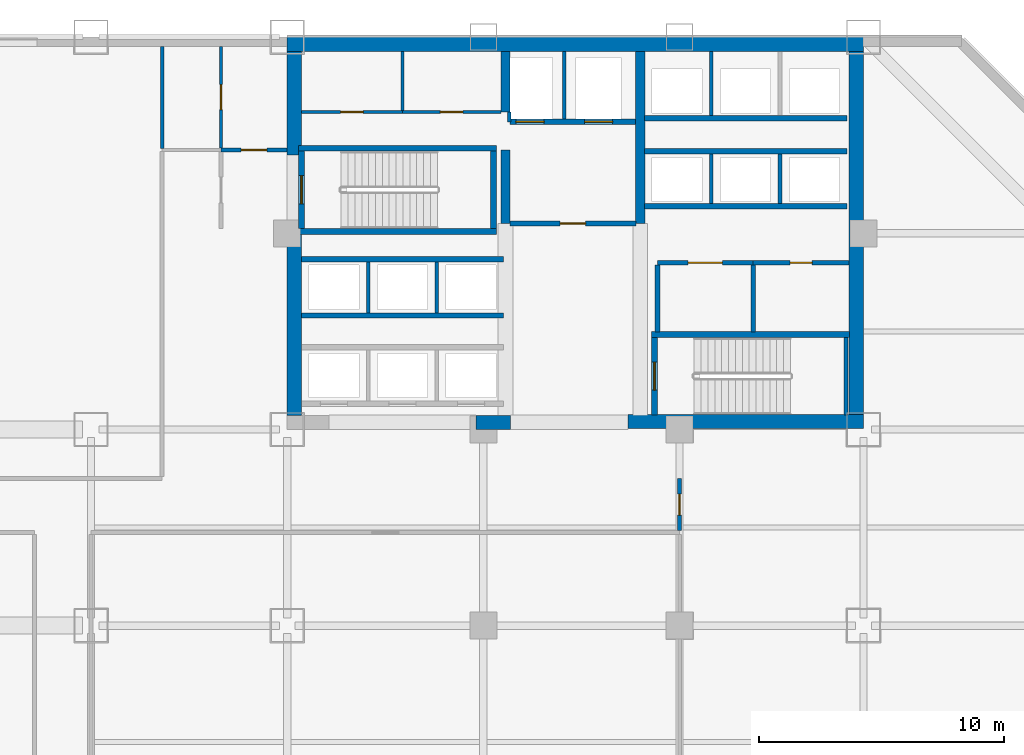
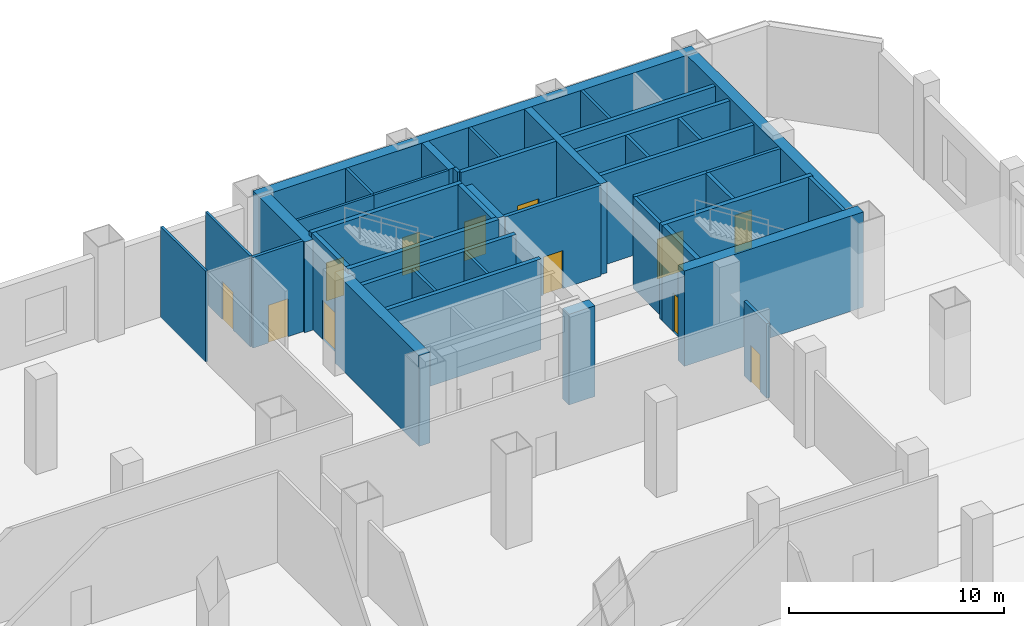
# One storey, part 5 of 10: 41 walls, 12 doors, 12 openings.
"""IFC4 building model written with IfcOpenShell, lengths in metres."""

from ifc_helpers import new_model, si_unit, direction, frame, frame_2d, origin, place, context, subcontext, project, spatial, rectangle, extrude, material, layer, layer_set, type_object, element, fill, save


model = new_model("IFC4")

# Units and contexts
model_context = context("Model", 3, precision=1e-05, world=origin(), true_north=direction((0.0, 1.0)))
body_context = subcontext(model_context, "Body", "Model", "MODEL_VIEW")
ifc_project = project(units=[si_unit("LENGTHUNIT", "METRE"), si_unit("AREAUNIT", "SQUARE_METRE"), si_unit("VOLUMEUNIT", "CUBIC_METRE"), si_unit("PLANEANGLEUNIT", "RADIAN"), si_unit("MASSUNIT", "GRAM", prefix="KILO")], contexts=[model_context])

# Site, building, storey
site_placement = place(None, origin())
site = spatial("IfcSite", under=ifc_project, at=site_placement, CompositionType="ELEMENT")
building_placement = place(site_placement, origin())
building = spatial("IfcBuilding", under=site, at=building_placement, Name="Qianrong Seaharbour Tower", CompositionType="ELEMENT")
storey_placement = place(building_placement, frame((0.0, 0.0, 17.39990234375)))
storey = spatial("IfcBuildingStorey", under=building, at=storey_placement, Name="L04", CompositionType="ELEMENT", Elevation=17.39990234375)

# Walls
ifc_material_1 = material(Name="Concrete C70/85", Category="concrete")
ifc_layer_1 = layer(ifc_material_1, 0.580078125)
ifc_layer_set_1 = layer_set([ifc_layer_1], Name="Concrete C70/85")
wall_type_1 = type_object("IfcWallType", Name="WALL-CORE-580", PredefinedType="SHEAR", material=ifc_layer_set_1)
wall_1_placement = place(storey_placement, frame((40.5, 51.7099609375, 0.0), z_axis=(0.0, 0.0, 1.0), x_axis=(1.0, 0.0, 0.0)))
element("IfcWall", 1, at=wall_1_placement, inside=storey, type_object=wall_type_1, Name="L04 North Core Shear Wall", PredefinedType="SHEAR", context=body_context, shape_type="SweptSolid", body=[
    extrude(rectangle(XDim=23.5, YDim=0.580078125, at=frame_2d((11.75, 0.0))), origin(), (0.0, 0.0, 1.0), 5.14013671875),
])
wall_2_placement = place(storey_placement, frame((63.7099609375, 36.320068359375, 0.0), z_axis=(0.0, 0.0, 1.0), x_axis=(0.0, 1.0, 0.0)))
element("IfcWall", 2, at=wall_2_placement, inside=storey, type_object=wall_type_1, Name="L04 East Core Shear Wall", PredefinedType="SHEAR", context=body_context, shape_type="SweptSolid", body=[
    extrude(rectangle(XDim=15.099853515625, YDim=0.580078125, at=frame_2d((7.5498046875, 0.0))), origin(), (0.0, 0.0, 1.0), 5.14013671875),
])
wall_3_placement = place(storey_placement, frame((40.7900390625, 36.580078125, 0.0), z_axis=(0.0, 0.0, 1.0), x_axis=(0.0, 1.0, 0.0)))
element("IfcWall", 3, at=wall_3_placement, inside=storey, type_object=wall_type_1, Name="L04 West Core Shear Wall South", PredefinedType="SHEAR", context=body_context, shape_type="SweptSolid", body=[
    extrude(rectangle(XDim=7.81982421875, YDim=0.580078125, at=frame_2d((3.909912109375, 0.0))), origin(), (0.0, 0.0, 1.0), 5.14013671875),
])
wall_4_placement = place(storey_placement, frame((40.7900390625, 47.199951171875, 0.0), z_axis=(0.0, 0.0, 1.0), x_axis=(0.0, 1.0, 0.0)))
element("IfcWall", 4, at=wall_4_placement, inside=storey, type_object=wall_type_1, Name="L04 West Core Shear Wall North", PredefinedType="SHEAR", context=body_context, shape_type="SweptSolid", body=[
    extrude(rectangle(XDim=4.219970703125, YDim=0.580078125, at=frame_2d((2.10986328125, 0.0))), origin(), (0.0, 0.0, 1.0), 5.14013671875),
])
wall_5_placement = place(storey_placement, frame((48.199951171875, 36.2900390625, 0.0), z_axis=(0.0, 0.0, 1.0), x_axis=(1.0, 0.0, 0.0)))
element("IfcWall", 5, at=wall_5_placement, inside=storey, type_object=wall_type_1, Name="L04 South Core Shear Wall S2", PredefinedType="SHEAR", context=body_context, shape_type="SweptSolid", body=[
    extrude(rectangle(XDim=1.400146484375, YDim=0.580078125, at=frame_2d((0.7001953125, 0.0))), origin(), (0.0, 0.0, 1.0), 5.14013671875),
])
wall_6_placement = place(storey_placement, frame((54.39990234375, 36.320068359375, 0.0), z_axis=(0.0, 0.0, 1.0), x_axis=(1.0, 0.0, 0.0)))
element("IfcWall", 6, at=wall_6_placement, inside=storey, type_object=wall_type_1, Name="L04 South Core Shear Wall S3", PredefinedType="SHEAR", context=body_context, shape_type="SweptSolid", body=[
    extrude(rectangle(XDim=9.60009765625, YDim=0.580078125, at=frame_2d((4.800048828125, 0.0))), origin(), (0.0, 0.0, 1.0), 5.400146484375),
])
ifc_material_2 = material(Name="Concrete C60/75", Category="concrete")
ifc_layer_2 = layer(ifc_material_2, 0.3798828125)
ifc_layer_set_2 = layer_set([ifc_layer_2], Name="Concrete C60/75")
wall_type_2 = type_object("IfcWallType", Name="WALL-CORE-INT-380", PredefinedType="SHEAR", material=ifc_layer_set_2)
wall_7_placement = place(storey_placement, frame((49.39990234375, 44.39990234375, 0.0), z_axis=(0.0, 0.0, 1.0), x_axis=(0.0, 1.0, 0.0)))
element("IfcWall", 7, at=wall_7_placement, inside=storey, type_object=wall_type_2, Name="L04 Internal Core Shear Wall IW1N1", PredefinedType="SHEAR", context=body_context, shape_type="SweptSolid", body=[
    extrude(rectangle(XDim=3.0, YDim=0.3798828125, at=frame_2d((1.5, 0.0))), origin(), (0.0, 0.0, 1.0), 5.14013671875),
])
wall_8_placement = place(storey_placement, frame((49.39990234375, 48.949951171875, 0.0), z_axis=(0.0, 0.0, 1.0), x_axis=(0.0, 1.0, 0.0)))
element("IfcWall", 8, at=wall_8_placement, inside=storey, type_object=wall_type_2, Name="L04 Internal Core Shear Wall IW1N2", PredefinedType="SHEAR", context=body_context, shape_type="SweptSolid", body=[
    extrude(rectangle(XDim=2.469970703125, YDim=0.3798828125, at=frame_2d((1.23486328125, 0.0))), origin(), (0.0, 0.0, 1.0), 5.14013671875),
])
wall_9_placement = place(storey_placement, frame((54.89990234375, 44.39990234375, 0.0), z_axis=(0.0, 0.0, 1.0), x_axis=(0.0, 1.0, 0.0)))
element("IfcWall", 9, at=wall_9_placement, inside=storey, type_object=wall_type_2, Name="L04 Internal Core Shear Wall IW2N", PredefinedType="SHEAR", context=body_context, shape_type="SweptSolid", body=[
    extrude(rectangle(XDim=7.02001953125, YDim=0.3798828125, at=frame_2d((3.510009765625, 0.0))), origin(), (0.0, 0.0, 1.0), 5.14013671875),
])

# Wall, opening, door
ifc_material_3 = material(Name="Fire-rated acoustic gypsum board partition")
ifc_layer_3 = layer(ifc_material_3, 0.1650390625)
ifc_layer_set_3 = layer_set([ifc_layer_3], Name="Fire-rated acoustic gypsum board partition")
wall_type_3 = type_object("IfcWallType", Name="WALL-CORR-PART-165", PredefinedType="PARTITIONING", material=ifc_layer_set_3)
wall_10_placement = place(storey_placement, frame((37.800048828125, 47.39990234375, 0.0), z_axis=(0.0, 0.0, 1.0), x_axis=(1.0, 0.0, 0.0)))
wall_10 = element("IfcWall", 10, at=wall_10_placement, inside=storey, type_object=wall_type_3, Name="L04 Interior Partition Wall 001", PredefinedType="PARTITIONING", context=body_context, shape_type="SweptSolid", body=[
    extrude(rectangle(XDim=2.699951171875, YDim=0.1650390625, at=frame_2d((1.35009765625, 0.0))), origin(), (0.0, 0.0, 1.0), 5.14013671875),
])
opening_1_placement = place(wall_10_placement, frame((0.824951171875, 0.0, 0.0)))
opening_1 = element("IfcOpeningElement", 11, at=opening_1_placement, cuts=wall_10, Name="Opening DC-01", PredefinedType="OPENING", context=body_context, shape_type="SweptSolid", body=[
    extrude(rectangle(XDim=1.050048828125, YDim=2.14990234375, at=frame_2d((0.52490234375, 1.074951171875))), frame((0.0, 0.092529296875, 0.0), z_axis=(0.0, -1.0, 0.0), x_axis=(1.0, 0.0, 0.0)), (0.0, 0.0, 1.0), 0.18505859375),
])
ifc_material_4 = material(Name="Acoustic timber and galvanized steel fire door assembly", Category="steel")
door_type_1 = type_object("IfcDoorType", Name="DOOR-CORR-FD60-1050x2150", OperationType="NOTDEFINED", PredefinedType="DOOR", material=ifc_material_4)
door_1_placement = place(opening_1_placement, origin())
door_1 = element("IfcDoor", 12, at=door_1_placement, inside=storey, type_object=door_type_1, Name="L04 Smokeproof Stair Vestibule ST-1 Door", OperationType="SINGLE_SWING_LEFT", OverallHeight=2.14990234375, OverallWidth=1.050048828125, PredefinedType="DOOR", context=body_context, shape_type="SweptSolid", body=[
    extrude(rectangle(XDim=1.050048828125, YDim=2.14990234375, at=frame_2d((0.52490234375, 1.074951171875))), frame((0.0, 0.02490234375, 0.0), z_axis=(0.0, -1.0, 0.0), x_axis=(1.0, 0.0, 0.0)), (0.0, 0.0, 1.0), 0.050048828125),
])
fill(opening_1, door_1)

wall_11_placement = place(storey_placement, frame((63.419921875, 42.800048828125, 0.0), z_axis=(0.0, 0.0, 1.0), x_axis=(-1.0, 0.0, 0.0)))
wall_11 = element("IfcWall", 13, at=wall_11_placement, inside=storey, type_object=wall_type_3, Name="L04 Interior Partition Wall 011", PredefinedType="PARTITIONING", context=body_context, shape_type="SweptSolid", body=[
    extrude(rectangle(XDim=3.919921875, YDim=0.1650390625, at=frame_2d((1.9599609375, 0.0))), origin(), (0.0, 0.0, 1.0), 5.14013671875),
])
opening_2_placement = place(wall_11_placement, frame((1.510009765625, 0.0, 0.0)))
opening_2 = element("IfcOpeningElement", 14, at=opening_2_placement, cuts=wall_11, Name="Opening DS-01", PredefinedType="OPENING", context=body_context, shape_type="SweptSolid", body=[
    extrude(rectangle(XDim=0.89990234375, YDim=2.14990234375, at=frame_2d((0.449951171875, 1.074951171875))), frame((0.0, 0.092529296875, 0.0), z_axis=(0.0, -1.0, 0.0), x_axis=(1.0, 0.0, 0.0)), (0.0, 0.0, 1.0), 0.18505859375),
])
door_type_2 = type_object("IfcDoorType", Name="DOOR-STORE-900x2150", OperationType="NOTDEFINED", PredefinedType="DOOR", material=ifc_material_4)
door_2_placement = place(opening_2_placement, origin())
door_2 = element("IfcDoor", 15, at=door_2_placement, inside=storey, type_object=door_type_2, Name="L04 Cleaner Store Room Door", OperationType="SINGLE_SWING_RIGHT", OverallHeight=2.14990234375, OverallWidth=0.89990234375, PredefinedType="DOOR", context=body_context, shape_type="SweptSolid", body=[
    extrude(rectangle(XDim=0.89990234375, YDim=2.14990234375, at=frame_2d((0.449951171875, 1.074951171875))), frame((0.0, 0.02490234375, 0.0), z_axis=(0.0, -1.0, 0.0), x_axis=(1.0, 0.0, 0.0)), (0.0, 0.0, 1.0), 0.050048828125),
])
fill(opening_2, door_2)

wall_12_placement = place(storey_placement, frame((56.5, 34.0, 0.0), z_axis=(0.0, 0.0, 1.0), x_axis=(0.0, -1.0, 0.0)))
wall_12 = element("IfcWall", 16, at=wall_12_placement, inside=storey, type_object=wall_type_3, Name="L04 Interior Partition Wall 019", PredefinedType="PARTITIONING", context=body_context, shape_type="SweptSolid", body=[
    extrude(rectangle(XDim=2.12548828125, YDim=0.1650390625, at=frame_2d((1.062744140625, 0.0))), origin(), (0.0, 0.0, 1.0), 4.232177734375),
])
opening_3_placement = place(wall_12_placement, frame((0.6328125, 0.0, 0.0)))
opening_3 = element("IfcOpeningElement", 17, at=opening_3_placement, cuts=wall_12, Name="Opening DU-01", PredefinedType="OPENING", context=body_context, shape_type="SweptSolid", body=[
    extrude(rectangle(XDim=0.860107421875, YDim=2.10009765625, at=frame_2d((0.43017578125, 1.050048828125))), frame((0.0, 0.092529296875, 0.0), z_axis=(0.0, -1.0, 0.0), x_axis=(1.0, 0.0, 0.0)), (0.0, 0.0, 1.0), 0.18505859375),
])
door_type_3 = type_object("IfcDoorType", Name="DOOR-UTIL-860x2100", OperationType="NOTDEFINED", PredefinedType="DOOR", material=ifc_material_4)
door_3_placement = place(opening_3_placement, origin())
door_3 = element("IfcDoor", 18, at=door_3_placement, inside=storey, type_object=door_type_3, Name="L04 Project Library Door", OperationType="SINGLE_SWING_RIGHT", OverallHeight=2.10009765625, OverallWidth=0.860107421875, PredefinedType="DOOR", context=body_context, shape_type="SweptSolid", body=[
    extrude(rectangle(XDim=0.860107421875, YDim=2.10009765625, at=frame_2d((0.43017578125, 1.050048828125))), frame((0.0, 0.02490234375, 0.0), z_axis=(0.0, -1.0, 0.0), x_axis=(1.0, 0.0, 0.0)), (0.0, 0.0, 1.0), 0.050048828125),
])
fill(opening_3, door_3)

ifc_material_5 = material(Name="Double fire-rated gypsum board acoustic partition")
ifc_layer_4 = layer(ifc_material_5, 0.18994140625)
ifc_layer_set_4 = layer_set([ifc_layer_4], Name="Double fire-rated gypsum board acoustic partition")
wall_type_4 = type_object("IfcWallType", Name="WALL-FIRE-PART-190", PredefinedType="PARTITIONING", material=ifc_layer_set_4)
wall_13_placement = place(storey_placement, frame((54.718017578125, 44.39990234375, 0.0), z_axis=(0.0, 0.0, 1.0), x_axis=(-1.0, 0.0, 0.0)))
wall_13 = element("IfcWall", 19, at=wall_13_placement, inside=storey, type_object=wall_type_4, Name="L04 Interior Partition Wall 008", PredefinedType="PARTITIONING", context=body_context, shape_type="SweptSolid", body=[
    extrude(rectangle(XDim=5.135986328125, YDim=0.18994140625, at=frame_2d((2.56787109375, 0.0))), origin(), (0.0, 0.0, 1.0), 5.14013671875),
])
opening_4_placement = place(wall_13_placement, frame((2.04296875, 0.0, 0.0)))
opening_4 = element("IfcOpeningElement", 20, at=opening_4_placement, cuts=wall_13, Name="Opening DC-01", PredefinedType="OPENING", context=body_context, shape_type="SweptSolid", body=[
    extrude(rectangle(XDim=1.050048828125, YDim=2.14990234375, at=frame_2d((0.52490234375, 1.074951171875))), frame((0.0, 0.10498046875, 0.0), z_axis=(0.0, -1.0, 0.0), x_axis=(1.0, 0.0, 0.0)), (0.0, 0.0, 1.0), 0.2099609375),
])
door_4_placement = place(opening_4_placement, origin())
door_4 = element("IfcDoor", 21, at=door_4_placement, inside=storey, type_object=door_type_1, Name="L04 Firefighting Lift Lobby Door", OperationType="SINGLE_SWING_LEFT", OverallHeight=2.14990234375, OverallWidth=1.050048828125, PredefinedType="DOOR", context=body_context, shape_type="SweptSolid", body=[
    extrude(rectangle(XDim=1.050048828125, YDim=2.14990234375, at=frame_2d((0.52490234375, 1.074951171875))), frame((0.0, 0.02490234375, 0.0), z_axis=(0.0, -1.0, 0.0), x_axis=(1.0, 0.0, 0.0)), (0.0, 0.0, 1.0), 0.050048828125),
])
fill(opening_4, door_4)

# Wall
wall_14_placement = place(storey_placement, frame((55.60009765625, 42.712890625, 0.0), z_axis=(0.0, 0.0, 1.0), x_axis=(0.0, -1.0, 0.0)))
element("IfcWall", 22, at=wall_14_placement, inside=storey, type_object=wall_type_4, Name="L04 Interior Partition Wall 009", PredefinedType="PARTITIONING", context=body_context, shape_type="SweptSolid", body=[
    extrude(rectangle(XDim=2.73095703125, YDim=0.18994140625, at=frame_2d((1.365478515625, 0.0))), origin(), (0.0, 0.0, 1.0), 5.14013671875),
])

# Wall, opening, door
wall_15_placement = place(storey_placement, frame((59.5, 42.800048828125, 0.0), z_axis=(0.0, 0.0, 1.0), x_axis=(-1.0, 0.0, 0.0)))
wall_15 = element("IfcWall", 23, at=wall_15_placement, inside=storey, type_object=wall_type_4, Name="L04 Interior Partition Wall 010", PredefinedType="PARTITIONING", context=body_context, shape_type="SweptSolid", body=[
    extrude(rectangle(XDim=3.89990234375, YDim=0.18994140625, at=frame_2d((1.949951171875, 0.0))), origin(), (0.0, 0.0, 1.0), 5.14013671875),
])
opening_5_placement = place(wall_15_placement, frame((1.25, 0.0, 0.0)))
opening_5 = element("IfcOpeningElement", 24, at=opening_5_placement, cuts=wall_15, Name="Opening DP-01", PredefinedType="OPENING", context=body_context, shape_type="SweptSolid", body=[
    extrude(rectangle(XDim=1.39990234375, YDim=2.25, at=frame_2d((0.699951171875, 1.125))), frame((0.0, 0.10498046875, 0.0), z_axis=(0.0, -1.0, 0.0), x_axis=(1.0, 0.0, 0.0)), (0.0, 0.0, 1.0), 0.2099609375),
])
door_type_4 = type_object("IfcDoorType", Name="DOOR-PLANT-PAIR-1400x2250", OperationType="DOUBLE_DOOR_SINGLE_SWING", PredefinedType="DOOR", material=ifc_material_4)
door_5_placement = place(opening_5_placement, origin())
door_5 = element("IfcDoor", 25, at=door_5_placement, inside=storey, type_object=door_type_4, Name="L04 Electrical Substation Door", OperationType="DOUBLE_DOOR_SINGLE_SWING", OverallHeight=2.25, OverallWidth=1.39990234375, PredefinedType="DOOR", context=body_context, shape_type="SweptSolid", body=[
    extrude(rectangle(XDim=1.39990234375, YDim=2.25, at=frame_2d((0.699951171875, 1.125))), frame((0.0, 0.02490234375, 0.0), z_axis=(0.0, -1.0, 0.0), x_axis=(1.0, 0.0, 0.0)), (0.0, 0.0, 1.0), 0.050048828125),
])
fill(opening_5, door_5)

# Walls
wall_16_placement = place(storey_placement, frame((59.5, 42.712890625, 0.0), z_axis=(0.0, 0.0, 1.0), x_axis=(0.0, -1.0, 0.0)))
element("IfcWall", 26, at=wall_16_placement, inside=storey, type_object=wall_type_4, Name="L04 Interior Partition Wall 013", PredefinedType="PARTITIONING", context=body_context, shape_type="SweptSolid", body=[
    extrude(rectangle(XDim=2.73095703125, YDim=0.18994140625, at=frame_2d((1.365478515625, 0.0))), origin(), (0.0, 0.0, 1.0), 5.14013671875),
])
ifc_material_6 = material(Name="Fire-rated gypsum board on steel studs", Category="steel")
ifc_layer_5 = layer(ifc_material_6, 0.14990234375)
ifc_layer_set_5 = layer_set([ifc_layer_5], Name="Fire-rated gypsum board on steel studs")
wall_type_5 = type_object("IfcWallType", Name="WALL-SHAFT-DIV-150", PredefinedType="PARTITIONING", material=ifc_layer_set_5)
wall_17_placement = place(storey_placement, frame((51.800048828125, 48.669921875, 0.0), z_axis=(0.0, 0.0, 1.0), x_axis=(0.0, 1.0, 0.0)))
element("IfcWall", 27, at=wall_17_placement, inside=storey, type_object=wall_type_5, Name="L04 Firefighting Lift Shaft Divider Wall", PredefinedType="PARTITIONING", context=body_context, shape_type="SweptSolid", body=[
    extrude(rectangle(XDim=2.75, YDim=0.14990234375, at=frame_2d((1.375, 0.0))), origin(), (0.0, 0.0, 1.0), 5.14013671875),
])
wall_18_placement = place(storey_placement, frame((49.550048828125, 48.550048828125, 0.0), z_axis=(0.0, 0.0, 1.0), x_axis=(0.0, 1.0, 0.0)))
element("IfcWall", 28, at=wall_18_placement, inside=storey, type_object=wall_type_5, Name="L04 Firefighting Lift Shaft West Return Wall", PredefinedType="PARTITIONING", context=body_context, shape_type="SweptSolid", body=[
    extrude(rectangle(XDim=0.39990234375, YDim=0.14990234375, at=frame_2d((0.199951171875, 0.0))), origin(), (0.0, 0.0, 1.0), 5.14013671875),
])
for number, where, z_axis, x_axis, name in (
    (29, (43.800048828125, 40.760009765625, 0.0), (0.0, 0.0, 1.0), (0.0, 1.0, 0.0), "L04 P2 Lift Hoistway Divider 2"),
    (30, (46.60009765625, 40.760009765625, 0.0), (0.0, 0.0, 1.0), (0.0, 1.0, 0.0), "L04 P2 Lift Hoistway Divider 3"),
):
    element("IfcWall", number, at=place(storey_placement, frame(where, z_axis=z_axis, x_axis=x_axis)), inside=storey, type_object=wall_type_5, Name=name, PredefinedType="PARTITIONING", context=body_context, shape_type="SweptSolid", body=[
        extrude(rectangle(XDim=2.080078125, YDim=0.14990234375, at=frame_2d((1.0400390625, 0.0))), origin(), (0.0, 0.0, 1.0), 5.14013671875),
    ])
for number, where, z_axis, x_axis, name in (
    (31, (57.800048828125, 45.2099609375, 0.0), (0.0, 0.0, 1.0), (0.0, 1.0, 0.0), "L04 P3 Lift Hoistway Divider 2"),
    (32, (60.60009765625, 45.2099609375, 0.0), (0.0, 0.0, 1.0), (0.0, 1.0, 0.0), "L04 P3 Lift Hoistway Divider 3"),
):
    element("IfcWall", number, at=place(storey_placement, frame(where, z_axis=z_axis, x_axis=x_axis)), inside=storey, type_object=wall_type_5, Name=name, PredefinedType="PARTITIONING", context=body_context, shape_type="SweptSolid", body=[
        extrude(rectangle(XDim=2.030029296875, YDim=0.14990234375, at=frame_2d((1.01513671875, 0.0))), origin(), (0.0, 0.0, 1.0), 5.14013671875),
    ])
wall_19_placement = place(storey_placement, frame((57.800048828125, 48.81005859375, 0.0), z_axis=(0.0, 0.0, 1.0), x_axis=(0.0, 1.0, 0.0)))
element("IfcWall", 33, at=wall_19_placement, inside=storey, type_object=wall_type_5, Name="L04 P4 Lift Hoistway Divider 2", PredefinedType="PARTITIONING", context=body_context, shape_type="SweptSolid", body=[
    extrude(rectangle(XDim=2.60986328125, YDim=0.14990234375, at=frame_2d((1.304931640625, 0.0))), origin(), (0.0, 0.0, 1.0), 5.14013671875),
])

# Wall, openings, doors
ifc_layer_6 = layer(ifc_material_6, 0.219970703125)
ifc_layer_set_6 = layer_set([ifc_layer_6], Name="Fire-rated gypsum board on steel studs")
wall_type_6 = type_object("IfcWallType", Name="WALL-SHAFT-GYP220", PredefinedType="PARTITIONING", material=ifc_layer_set_6)
wall_20_placement = place(storey_placement, frame((54.7099609375, 48.550048828125, 0.0), z_axis=(0.0, 0.0, 1.0), x_axis=(-1.0, 0.0, 0.0)))
wall_20 = element("IfcWall", 34, at=wall_20_placement, inside=storey, type_object=wall_type_6, Name="L04 Firefighting Lift Shaft Front Wall", PredefinedType="PARTITIONING", context=body_context, shape_type="SweptSolid", body=[
    extrude(rectangle(XDim=5.119873046875, YDim=0.219970703125, at=frame_2d((2.56005859375, 0.0))), origin(), (0.0, 0.0, 1.0), 5.14013671875),
])
opening_6_placement = place(wall_20_placement, frame((3.735107421875, 0.0, 0.0)))
opening_6 = element("IfcOpeningElement", 35, at=opening_6_placement, cuts=wall_20, Name="Opening LD-01", PredefinedType="OPENING", context=body_context, shape_type="SweptSolid", body=[
    extrude(rectangle(XDim=1.14990234375, YDim=2.199951171875, at=frame_2d((0.574951171875, 1.10009765625))), frame((0.0, 0.1201171875, 0.0), z_axis=(0.0, -1.0, 0.0), x_axis=(1.0, 0.0, 0.0)), (0.0, 0.0, 1.0), 0.239990234375),
])
opening_7_placement = place(wall_20_placement, frame((0.93505859375, 0.0, 0.0)))
opening_7 = element("IfcOpeningElement", 36, at=opening_7_placement, cuts=wall_20, Name="Opening LD-01", PredefinedType="OPENING", context=body_context, shape_type="SweptSolid", body=[
    extrude(rectangle(XDim=1.14990234375, YDim=2.199951171875, at=frame_2d((0.574951171875, 1.10009765625))), frame((0.0, 0.1201171875, 0.0), z_axis=(0.0, -1.0, 0.0), x_axis=(1.0, 0.0, 0.0)), (0.0, 0.0, 1.0), 0.239990234375),
])
ifc_material_7 = material(Name="Stainless steel SUS316L bi-parting lift landing door", Category="steel")
door_type_5 = type_object("IfcDoorType", Name="DOOR-LIFT-FF-1150x2200", OperationType="DOUBLE_DOOR_SLIDING", PredefinedType="DOOR", material=ifc_material_7)
door_6_placement = place(opening_6_placement, origin())
door_6 = element("IfcDoor", 37, at=door_6_placement, inside=storey, type_object=door_type_5, Name="L04 FL-1 Firefighting Lift Landing Door", OperationType="DOUBLE_DOOR_SLIDING", OverallHeight=2.199951171875, OverallWidth=1.14990234375, PredefinedType="DOOR", context=body_context, shape_type="SweptSolid", body=[
    extrude(rectangle(XDim=1.14990234375, YDim=2.199951171875, at=frame_2d((0.574951171875, 1.10009765625))), frame((0.0, 0.02490234375, 0.0), z_axis=(0.0, -1.0, 0.0), x_axis=(1.0, 0.0, 0.0)), (0.0, 0.0, 1.0), 0.050048828125),
])
fill(opening_6, door_6)
door_7_placement = place(opening_7_placement, origin())
door_7 = element("IfcDoor", 38, at=door_7_placement, inside=storey, type_object=door_type_5, Name="L04 FL-2 Firefighting Lift Landing Door", OperationType="DOUBLE_DOOR_SLIDING", OverallHeight=2.199951171875, OverallWidth=1.14990234375, PredefinedType="DOOR", context=body_context, shape_type="SweptSolid", body=[
    extrude(rectangle(XDim=1.14990234375, YDim=2.199951171875, at=frame_2d((0.574951171875, 1.10009765625))), frame((0.0, 0.02490234375, 0.0), z_axis=(0.0, -1.0, 0.0), x_axis=(1.0, 0.0, 0.0)), (0.0, 0.0, 1.0), 0.050048828125),
])
fill(opening_7, door_7)

# Walls
for number, where, z_axis, x_axis, name in (
    (39, (49.320068359375, 40.64990234375, 0.0), (0.0, 0.0, 1.0), (-1.0, 0.0, 0.0), "L04 P2 Lift Hoistway Front Wall"),
    (40, (41.080078125, 42.949951171875, 0.0), (0.0, 0.0, 1.0), (1.0, 0.0, 0.0), "L04 P2 Lift Hoistway Back Wall"),
    (41, (63.320068359375, 45.10009765625, 0.0), (0.0, 0.0, 1.0), (-1.0, 0.0, 0.0), "L04 P3 Lift Hoistway Front Wall"),
    (42, (55.080078125, 47.35009765625, 0.0), (0.0, 0.0, 1.0), (1.0, 0.0, 0.0), "L04 P3 Lift Hoistway Back Wall"),
    (43, (63.320068359375, 48.699951171875, 0.0), (0.0, 0.0, 1.0), (-1.0, 0.0, 0.0), "L04 P4 Lift Hoistway Front Wall"),
):
    element("IfcWall", number, at=place(storey_placement, frame(where, z_axis=z_axis, x_axis=x_axis)), inside=storey, type_object=wall_type_6, Name=name, PredefinedType="PARTITIONING", context=body_context, shape_type="SweptSolid", body=[
        extrude(rectangle(XDim=8.239990234375, YDim=0.219970703125, at=frame_2d((4.1201171875, 0.0))), origin(), (0.0, 0.0, 1.0), 5.14013671875),
    ])
ifc_material_8 = material(Name="Concrete C50/60", Category="concrete")
ifc_layer_7 = layer(ifc_material_8, 0.239990234375)
ifc_layer_set_7 = layer_set([ifc_layer_7], Name="Concrete C50/60")
wall_type_7 = type_object("IfcWallType", Name="WALL-SHAFT-RC240", PredefinedType="SOLIDWALL", material=ifc_layer_set_7)
for number, where, z_axis, x_axis, name in (
    (44, (40.9599609375, 47.469970703125, 0.0), (0.0, 0.0, 1.0), (1.0, 0.0, 0.0), "L04 ST-1 Structural Stair Core Wall N"),
    (45, (49.0400390625, 44.080078125, 0.0), (0.0, 0.0, 1.0), (-1.0, 0.0, 0.0), "L04 ST-1 Structural Stair Core Wall S"),
):
    element("IfcWall", number, at=place(storey_placement, frame(where, z_axis=z_axis, x_axis=x_axis)), inside=storey, type_object=wall_type_7, Name=name, PredefinedType="SOLIDWALL", context=body_context, shape_type="SweptSolid", body=[
        extrude(rectangle(XDim=8.080078125, YDim=0.239990234375, at=frame_2d((4.0400390625, 0.0))), origin(), (0.0, 0.0, 1.0), 5.400146484375),
    ])

# Wall, opening, door
wall_21_placement = place(storey_placement, frame((41.080078125, 47.35009765625, 0.0), z_axis=(0.0, 0.0, 1.0), x_axis=(0.0, -1.0, 0.0)))
wall_21 = element("IfcWall", 46, at=wall_21_placement, inside=storey, type_object=wall_type_7, Name="L04 ST-1 Structural Stair Core Wall W", PredefinedType="SOLIDWALL", context=body_context, shape_type="SweptSolid", body=[
    extrude(rectangle(XDim=3.150146484375, YDim=0.239990234375, at=frame_2d((1.5751953125, 0.0))), origin(), (0.0, 0.0, 1.0), 5.400146484375),
])
opening_8_placement = place(wall_21_placement, frame((1.0, 0.0, 0.0)))
opening_8 = element("IfcOpeningElement", 47, at=opening_8_placement, cuts=wall_21, Name="Opening SD-01", PredefinedType="OPENING", context=body_context, shape_type="SweptSolid", body=[
    extrude(rectangle(XDim=1.14990234375, YDim=2.199951171875, at=frame_2d((0.574951171875, 1.10009765625))), frame((0.0, 0.1298828125, 0.0), z_axis=(0.0, -1.0, 0.0), x_axis=(1.0, 0.0, 0.0)), (0.0, 0.0, 1.0), 0.260009765625),
])
door_type_6 = type_object("IfcDoorType", Name="DOOR-STAIR-FD60-1150x2200", OperationType="NOTDEFINED", PredefinedType="DOOR", material=ifc_material_4)
door_8_placement = place(opening_8_placement, origin())
door_8 = element("IfcDoor", 48, at=door_8_placement, inside=storey, type_object=door_type_6, Name="L04 ST-1 Protected Stair Door", OperationType="SINGLE_SWING_LEFT", OverallHeight=2.199951171875, OverallWidth=1.14990234375, PredefinedType="DOOR", context=body_context, shape_type="SweptSolid", body=[
    extrude(rectangle(XDim=1.14990234375, YDim=2.199951171875, at=frame_2d((0.574951171875, 1.10009765625))), frame((0.0, 0.02490234375, 0.0), z_axis=(0.0, -1.0, 0.0), x_axis=(1.0, 0.0, 0.0)), (0.0, 0.0, 1.0), 0.050048828125),
])
fill(opening_8, door_8)

# Walls
wall_22_placement = place(storey_placement, frame((48.919921875, 44.199951171875, 0.0), z_axis=(0.0, 0.0, 1.0), x_axis=(0.0, 1.0, 0.0)))
element("IfcWall", 49, at=wall_22_placement, inside=storey, type_object=wall_type_7, Name="L04 ST-1 Structural Stair Core Wall E", PredefinedType="SOLIDWALL", context=body_context, shape_type="SweptSolid", body=[
    extrude(rectangle(XDim=3.150146484375, YDim=0.239990234375, at=frame_2d((1.5751953125, 0.0))), origin(), (0.0, 0.0, 1.0), 5.400146484375),
])
wall_23_placement = place(storey_placement, frame((55.360107421875, 39.8701171875, 0.0), z_axis=(0.0, 0.0, 1.0), x_axis=(1.0, 0.0, 0.0)))
element("IfcWall", 50, at=wall_23_placement, inside=storey, type_object=wall_type_7, Name="L04 ST-2 Structural Stair Core Wall N", PredefinedType="SOLIDWALL", context=body_context, shape_type="SweptSolid", body=[
    extrude(rectangle(XDim=8.079833984375, YDim=0.239990234375, at=frame_2d((4.0400390625, 0.0))), origin(), (0.0, 0.0, 1.0), 5.400146484375),
])

# Wall, opening, door
wall_24_placement = place(storey_placement, frame((55.47998046875, 39.75, 0.0), z_axis=(0.0, 0.0, 1.0), x_axis=(0.0, -1.0, 0.0)))
wall_24 = element("IfcWall", 51, at=wall_24_placement, inside=storey, type_object=wall_type_7, Name="L04 ST-2 Structural Stair Core Wall W", PredefinedType="SOLIDWALL", context=body_context, shape_type="SweptSolid", body=[
    extrude(rectangle(XDim=3.14990234375, YDim=0.239990234375, at=frame_2d((1.574951171875, 0.0))), origin(), (0.0, 0.0, 1.0), 5.400146484375),
])
opening_9_placement = place(wall_24_placement, frame((1.0, 0.0, 0.0)))
opening_9 = element("IfcOpeningElement", 52, at=opening_9_placement, cuts=wall_24, Name="Opening SD-01", PredefinedType="OPENING", context=body_context, shape_type="SweptSolid", body=[
    extrude(rectangle(XDim=1.14990234375, YDim=2.199951171875, at=frame_2d((0.574951171875, 1.10009765625))), frame((0.0, 0.1298828125, 0.0), z_axis=(0.0, -1.0, 0.0), x_axis=(1.0, 0.0, 0.0)), (0.0, 0.0, 1.0), 0.260009765625),
])
door_9_placement = place(opening_9_placement, origin())
door_9 = element("IfcDoor", 53, at=door_9_placement, inside=storey, type_object=door_type_6, Name="L04 ST-2 Protected Stair Door", OperationType="SINGLE_SWING_LEFT", OverallHeight=2.199951171875, OverallWidth=1.14990234375, PredefinedType="DOOR", context=body_context, shape_type="SweptSolid", body=[
    extrude(rectangle(XDim=1.14990234375, YDim=2.199951171875, at=frame_2d((0.574951171875, 1.10009765625))), frame((0.0, 0.02490234375, 0.0), z_axis=(0.0, -1.0, 0.0), x_axis=(1.0, 0.0, 0.0)), (0.0, 0.0, 1.0), 0.050048828125),
])
fill(opening_9, door_9)

# Wall
wall_25_placement = place(storey_placement, frame((63.2900390625, 36.60009765625, 0.0), z_axis=(0.0, 0.0, 1.0), x_axis=(0.0, 1.0, 0.0)))
element("IfcWall", 54, at=wall_25_placement, inside=storey, type_object=wall_type_7, Name="L04 ST-2 Structural Stair Core Wall E", PredefinedType="SOLIDWALL", context=body_context, shape_type="SweptSolid", body=[
    extrude(rectangle(XDim=3.14990234375, YDim=0.179931640625, at=frame_2d((1.574951171875, 0.0))), origin(), (0.0, 0.0, 1.0), 5.400146484375),
])

# Wall, opening, door
ifc_material_9 = material(Name="Water-resistant cement board sanitary partition")
ifc_layer_8 = layer(ifc_material_9, 0.1298828125)
ifc_layer_set_8 = layer_set([ifc_layer_8], Name="Water-resistant cement board sanitary partition")
wall_type_8 = type_object("IfcWallType", Name="WALL-WET-PART-130", PredefinedType="PARTITIONING", material=ifc_layer_set_8)
wall_26_placement = place(storey_placement, frame((37.800048828125, 47.474609375, 0.0), z_axis=(0.0, 0.0, 1.0), x_axis=(0.0, 1.0, 0.0)))
wall_26 = element("IfcWall", 55, at=wall_26_placement, inside=storey, type_object=wall_type_8, Name="L04 Interior Partition Wall 003", PredefinedType="PARTITIONING", context=body_context, shape_type="SweptSolid", body=[
    extrude(rectangle(XDim=4.1533203125, YDim=0.1298828125, at=frame_2d((2.07666015625, 0.0))), origin(), (0.0, 0.0, 1.0), 5.14013671875),
])
opening_10_placement = place(wall_26_placement, frame((1.56689453125, 0.0, 0.0)))
opening_10 = element("IfcOpeningElement", 56, at=opening_10_placement, cuts=wall_26, Name="Opening DAW-01", PredefinedType="OPENING", context=body_context, shape_type="SweptSolid", body=[
    extrude(rectangle(XDim=1.02001953125, YDim=2.14990234375, at=frame_2d((0.510009765625, 1.074951171875))), frame((0.0, 0.074951171875, 0.0), z_axis=(0.0, -1.0, 0.0), x_axis=(1.0, 0.0, 0.0)), (0.0, 0.0, 1.0), 0.14990234375),
])
door_type_7 = type_object("IfcDoorType", Name="DOOR-AWC-SLIDE-1020x2150", OperationType="SLIDING_TO_LEFT", PredefinedType="DOOR", material=ifc_material_4)
door_10_placement = place(opening_10_placement, origin())
door_10 = element("IfcDoor", 57, at=door_10_placement, inside=storey, type_object=door_type_7, Name="L04 Accessible Restroom WC Door", OperationType="SLIDING_TO_LEFT", OverallHeight=2.14990234375, OverallWidth=1.02001953125, PredefinedType="DOOR", context=body_context, shape_type="SweptSolid", body=[
    extrude(rectangle(XDim=1.02001953125, YDim=2.14990234375, at=frame_2d((0.510009765625, 1.074951171875))), frame((0.0, 0.02490234375, 0.0), z_axis=(0.0, -1.0, 0.0), x_axis=(1.0, 0.0, 0.0)), (0.0, 0.0, 1.0), 0.050048828125),
])
fill(opening_10, door_10)

# Wall
wall_27_placement = place(storey_placement, frame((35.39990234375, 47.45703125, 0.0), z_axis=(0.0, 0.0, 1.0), x_axis=(0.0, 1.0, 0.0)))
element("IfcWall", 58, at=wall_27_placement, inside=storey, type_object=wall_type_8, Name="L04 Interior Partition Wall 005", PredefinedType="PARTITIONING", context=body_context, shape_type="SweptSolid", body=[
    extrude(rectangle(XDim=4.1708984375, YDim=0.1298828125, at=frame_2d((2.08544921875, 0.0))), origin(), (0.0, 0.0, 1.0), 5.14013671875),
])

# Wall, opening, door
wall_28_placement = place(storey_placement, frame((41.080078125, 48.949951171875, 0.0), z_axis=(0.0, 0.0, 1.0), x_axis=(1.0, 0.0, 0.0)))
wall_28 = element("IfcWall", 59, at=wall_28_placement, inside=storey, type_object=wall_type_8, Name="L04 Interior Partition Wall 006", PredefinedType="PARTITIONING", context=body_context, shape_type="SweptSolid", body=[
    extrude(rectangle(XDim=4.119873046875, YDim=0.1298828125, at=frame_2d((2.06005859375, 0.0))), origin(), (0.0, 0.0, 1.0), 5.14013671875),
])
opening_11_placement = place(wall_28_placement, frame((1.60009765625, 0.0, 0.0)))
opening_11 = element("IfcOpeningElement", 60, at=opening_11_placement, cuts=wall_28, Name="Opening DW-01", PredefinedType="OPENING", context=body_context, shape_type="SweptSolid", body=[
    extrude(rectangle(XDim=0.919921875, YDim=2.14990234375, at=frame_2d((0.4599609375, 1.074951171875))), frame((0.0, 0.074951171875, 0.0), z_axis=(0.0, -1.0, 0.0), x_axis=(1.0, 0.0, 0.0)), (0.0, 0.0, 1.0), 0.14990234375),
])
door_type_8 = type_object("IfcDoorType", Name="DOOR-WC-920x2150", OperationType="NOTDEFINED", PredefinedType="DOOR", material=ifc_material_4)
door_11_placement = place(opening_11_placement, origin())
door_11 = element("IfcDoor", 61, at=door_11_placement, inside=storey, type_object=door_type_8, Name="L04 Male Restroom WC Door", OperationType="SINGLE_SWING_RIGHT", OverallHeight=2.14990234375, OverallWidth=0.919921875, PredefinedType="DOOR", context=body_context, shape_type="SweptSolid", body=[
    extrude(rectangle(XDim=0.919921875, YDim=2.14990234375, at=frame_2d((0.4599609375, 1.074951171875))), frame((0.0, 0.02490234375, 0.0), z_axis=(0.0, -1.0, 0.0), x_axis=(1.0, 0.0, 0.0)), (0.0, 0.0, 1.0), 0.050048828125),
])
fill(opening_11, door_11)

wall_29_placement = place(storey_placement, frame((45.199951171875, 48.949951171875, 0.0), z_axis=(0.0, 0.0, 1.0), x_axis=(1.0, 0.0, 0.0)))
wall_29 = element("IfcWall", 62, at=wall_29_placement, inside=storey, type_object=wall_type_8, Name="L04 Interior Partition Wall 007", PredefinedType="PARTITIONING", context=body_context, shape_type="SweptSolid", body=[
    extrude(rectangle(XDim=4.01806640625, YDim=0.1298828125, at=frame_2d((2.009033203125, 0.0))), origin(), (0.0, 0.0, 1.0), 5.14013671875),
])
opening_12_placement = place(wall_29_placement, frame((1.549072265625, 0.0, 0.0)))
opening_12 = element("IfcOpeningElement", 63, at=opening_12_placement, cuts=wall_29, Name="Opening DW-01", PredefinedType="OPENING", context=body_context, shape_type="SweptSolid", body=[
    extrude(rectangle(XDim=0.919921875, YDim=2.14990234375, at=frame_2d((0.4599609375, 1.074951171875))), frame((0.0, 0.074951171875, 0.0), z_axis=(0.0, -1.0, 0.0), x_axis=(1.0, 0.0, 0.0)), (0.0, 0.0, 1.0), 0.14990234375),
])
door_12_placement = place(opening_12_placement, origin())
door_12 = element("IfcDoor", 64, at=door_12_placement, inside=storey, type_object=door_type_8, Name="L04 Female Restroom WC Door", OperationType="SINGLE_SWING_LEFT", OverallHeight=2.14990234375, OverallWidth=0.919921875, PredefinedType="DOOR", context=body_context, shape_type="SweptSolid", body=[
    extrude(rectangle(XDim=0.919921875, YDim=2.14990234375, at=frame_2d((0.4599609375, 1.074951171875))), frame((0.0, 0.02490234375, 0.0), z_axis=(0.0, -1.0, 0.0), x_axis=(1.0, 0.0, 0.0)), (0.0, 0.0, 1.0), 0.050048828125),
])
fill(opening_12, door_12)

# Wall
wall_30_placement = place(storey_placement, frame((45.199951171875, 51.419921875, 0.0), z_axis=(0.0, 0.0, 1.0), x_axis=(0.0, -1.0, 0.0)))
element("IfcWall", 65, at=wall_30_placement, inside=storey, type_object=wall_type_8, Name="L04 Interior Partition Wall 012", PredefinedType="PARTITIONING", context=body_context, shape_type="SweptSolid", body=[
    extrude(rectangle(XDim=2.412841796875, YDim=0.1298828125, at=frame_2d((1.20654296875, 0.0))), origin(), (0.0, 0.0, 1.0), 5.14013671875),
])

save(model, "model.ifc")
